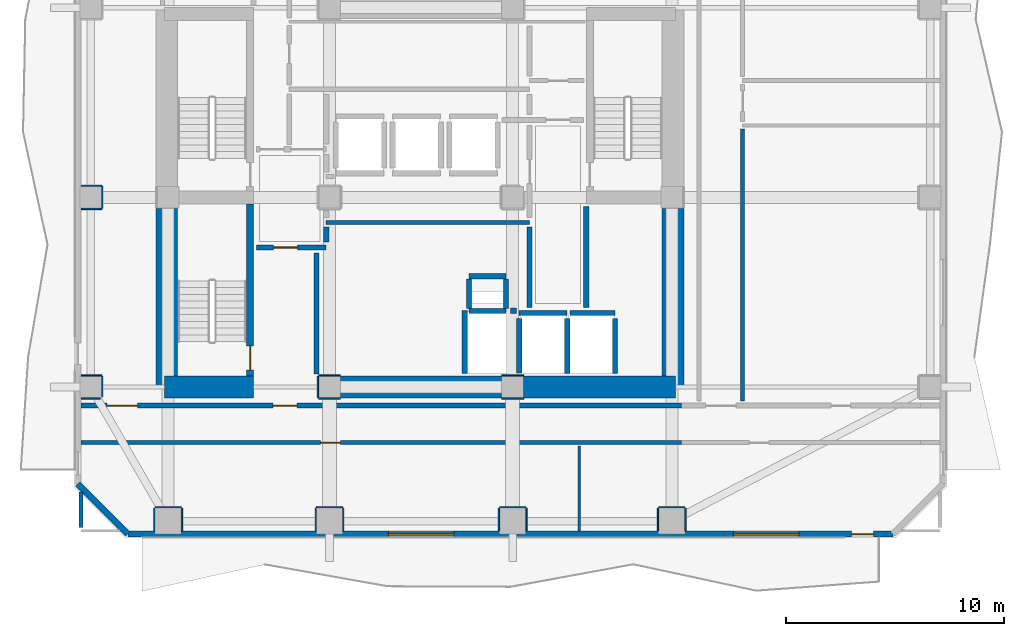
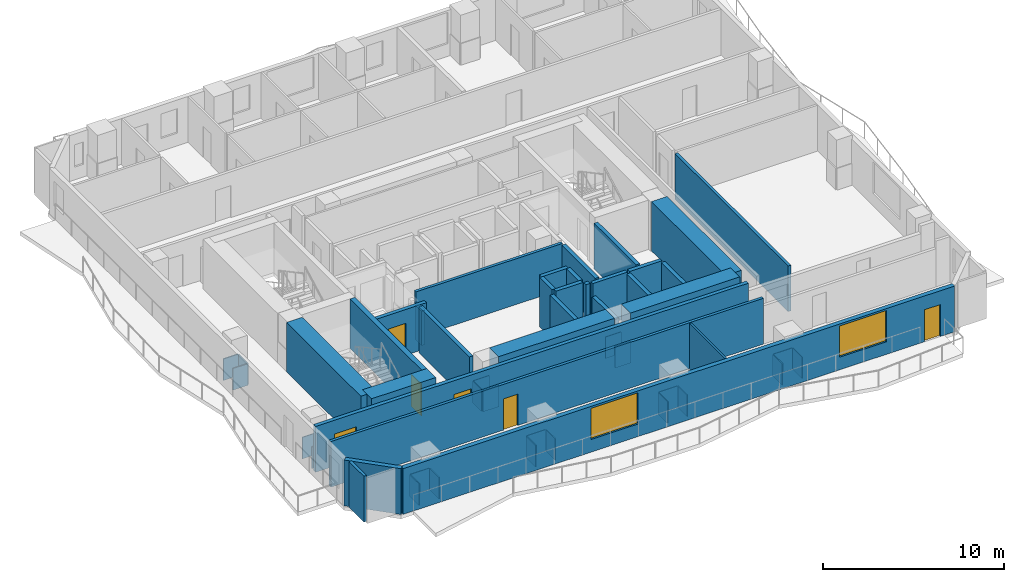
# One storey, part 2 of 11: 53 walls, 6 doors, 2 windows, 8 openings.
"""IFC4 building model written with IfcOpenShell, lengths in metres."""

from ifc_helpers import new_model, si_unit, direction, frame, frame_2d, origin, place, context, subcontext, project, spatial, rectangle, extrude, material, layer, layer_set, type_object, element, fill, save


model = new_model("IFC4")

# Units and contexts
model_context = context("Model", 3, precision=1e-05, world=origin(), true_north=direction((0.0, 1.0)))
body_context = subcontext(model_context, "Body", "Model", "MODEL_VIEW")
ifc_project = project(units=[si_unit("LENGTHUNIT", "METRE"), si_unit("AREAUNIT", "SQUARE_METRE"), si_unit("VOLUMEUNIT", "CUBIC_METRE"), si_unit("PLANEANGLEUNIT", "RADIAN"), si_unit("MASSUNIT", "GRAM", prefix="KILO")], contexts=[model_context])

# Site, building, storey
site_placement = place(None, origin())
site = spatial("IfcSite", under=ifc_project, at=site_placement, CompositionType="ELEMENT")
building_placement = place(site_placement, origin())
building = spatial("IfcBuilding", under=site, at=building_placement, Name="Solanera Arch Residences", CompositionType="ELEMENT")
storey_placement = place(building_placement, frame((0.0, 0.0, 159.199951171875)))
storey = spatial("IfcBuildingStorey", under=building, at=storey_placement, Name="L46", CompositionType="ELEMENT", Elevation=159.199951171875)

# Walls
ifc_material_1 = material(Name="Fire-Rated Gypsum Stud Partition", Category="gypsum")
ifc_layer_1 = layer(ifc_material_1, 0.06005859375)
ifc_layer_set_1 = layer_set([ifc_layer_1], Name="Fire-Rated Gypsum Stud Partition")
wall_type_1 = type_object("IfcWallType", Name="Column Acoustic Furring Wall 60", PredefinedType="PARTITIONING", material=ifc_layer_set_1)
for number, where, z_axis, x_axis, name in (
    (1, (20.300048828125, 21.468017578125, 0.0), (0.0, 0.0, 1.0), (1.0, 0.0, 0.0), "L46 Column Furring 1S"),
    (2, (20.300048828125, 22.531982421875, 0.0), (0.0, 0.0, 1.0), (1.0, 0.0, 0.0), "L46 Column Furring 1N"),
    (3, (20.26806640625, 21.5, 0.0), (0.0, 0.0, 1.0), (0.0, 1.0, 0.0), "L46 Column Furring 1W"),
    (4, (28.699951171875, 21.468017578125, 0.0), (0.0, 0.0, 1.0), (1.0, 0.0, 0.0), "L46 Column Furring 2S"),
    (5, (28.699951171875, 22.531982421875, 0.0), (0.0, 0.0, 1.0), (1.0, 0.0, 0.0), "L46 Column Furring 2N"),
):
    element("IfcWall", number, at=place(storey_placement, frame(where, z_axis=z_axis, x_axis=x_axis)), inside=storey, type_object=wall_type_1, Name=name, PredefinedType="PARTITIONING", context=body_context, shape_type="SweptSolid", body=[
        extrude(rectangle(XDim=1.0, YDim=0.06005859375, at=frame_2d((0.5, 0.0))), origin(), (0.0, 0.0, 1.0), 1.449951171875),
    ])
wall_1_placement = place(storey_placement, frame((12.800048828125, 16.48193359375, 0.0), z_axis=(0.0, 0.0, 1.0), x_axis=(1.0, 0.0, 0.0)))
element("IfcWall", 6, at=wall_1_placement, inside=storey, type_object=wall_type_1, Name="L46 Column Furring 9N", PredefinedType="PARTITIONING", context=body_context, shape_type="SweptSolid", body=[
    extrude(rectangle(XDim=1.199951171875, YDim=0.06005859375, at=frame_2d((0.60009765625, 0.0))), origin(), (0.0, 0.0, 1.0), 1.449951171875),
])
for number, where, z_axis, x_axis, name in (
    (7, (12.76806640625, 15.409912109375, 0.0), (0.0, 0.0, 1.0), (0.0, 1.0, 0.0), "L46 Column Furring 9W"),
    (8, (14.031982421875, 15.409912109375, 0.0), (0.0, 0.0, 1.0), (0.0, 1.0, 0.0), "L46 Column Furring 9E"),
):
    element("IfcWall", number, at=place(storey_placement, frame(where, z_axis=z_axis, x_axis=x_axis)), inside=storey, type_object=wall_type_1, Name=name, PredefinedType="PARTITIONING", context=body_context, shape_type="SweptSolid", body=[
        extrude(rectangle(XDim=1.0400390625, YDim=0.06005859375, at=frame_2d((0.52001953125, 0.0))), origin(), (0.0, 0.0, 1.0), 1.449951171875),
    ])
wall_2_placement = place(storey_placement, frame((20.199951171875, 16.48193359375, 0.0), z_axis=(0.0, 0.0, 1.0), x_axis=(1.0, 0.0, 0.0)))
element("IfcWall", 9, at=wall_2_placement, inside=storey, type_object=wall_type_1, Name="L46 Column Furring 11N", PredefinedType="PARTITIONING", context=body_context, shape_type="SweptSolid", body=[
    extrude(rectangle(XDim=1.199951171875, YDim=0.06005859375, at=frame_2d((0.60009765625, 0.0))), origin(), (0.0, 0.0, 1.0), 1.449951171875),
])
for number, where, z_axis, x_axis, name in (
    (10, (20.16796875, 15.409912109375, 0.0), (0.0, 0.0, 1.0), (0.0, 1.0, 0.0), "L46 Column Furring 11W"),
    (11, (21.431884765625, 15.409912109375, 0.0), (0.0, 0.0, 1.0), (0.0, 1.0, 0.0), "L46 Column Furring 11E"),
):
    element("IfcWall", number, at=place(storey_placement, frame(where, z_axis=z_axis, x_axis=x_axis)), inside=storey, type_object=wall_type_1, Name=name, PredefinedType="PARTITIONING", context=body_context, shape_type="SweptSolid", body=[
        extrude(rectangle(XDim=1.0400390625, YDim=0.06005859375, at=frame_2d((0.52001953125, 0.0))), origin(), (0.0, 0.0, 1.0), 1.449951171875),
    ])
wall_3_placement = place(storey_placement, frame((28.60009765625, 16.48193359375, 0.0), z_axis=(0.0, 0.0, 1.0), x_axis=(1.0, 0.0, 0.0)))
element("IfcWall", 12, at=wall_3_placement, inside=storey, type_object=wall_type_1, Name="L46 Column Furring 13N", PredefinedType="PARTITIONING", context=body_context, shape_type="SweptSolid", body=[
    extrude(rectangle(XDim=1.199951171875, YDim=0.06005859375, at=frame_2d((0.60009765625, 0.0))), origin(), (0.0, 0.0, 1.0), 1.449951171875),
])
for number, where, z_axis, x_axis, name in (
    (13, (28.568115234375, 15.409912109375, 0.0), (0.0, 0.0, 1.0), (0.0, 1.0, 0.0), "L46 Column Furring 13W"),
    (14, (29.83203125, 15.409912109375, 0.0), (0.0, 0.0, 1.0), (0.0, 1.0, 0.0), "L46 Column Furring 13E"),
):
    element("IfcWall", number, at=place(storey_placement, frame(where, z_axis=z_axis, x_axis=x_axis)), inside=storey, type_object=wall_type_1, Name=name, PredefinedType="PARTITIONING", context=body_context, shape_type="SweptSolid", body=[
        extrude(rectangle(XDim=1.0400390625, YDim=0.06005859375, at=frame_2d((0.52001953125, 0.0))), origin(), (0.0, 0.0, 1.0), 1.449951171875),
    ])
wall_4_placement = place(storey_placement, frame((35.89990234375, 16.48193359375, 0.0), z_axis=(0.0, 0.0, 1.0), x_axis=(1.0, 0.0, 0.0)))
element("IfcWall", 15, at=wall_4_placement, inside=storey, type_object=wall_type_1, Name="L46 Column Furring 15N", PredefinedType="PARTITIONING", context=body_context, shape_type="SweptSolid", body=[
    extrude(rectangle(XDim=1.2001953125, YDim=0.06005859375, at=frame_2d((0.60009765625, 0.0))), origin(), (0.0, 0.0, 1.0), 1.449951171875),
])
for number, where, z_axis, x_axis, name in (
    (16, (35.867919921875, 15.409912109375, 0.0), (0.0, 0.0, 1.0), (0.0, 1.0, 0.0), "L46 Column Furring 15W"),
    (17, (37.132080078125, 15.409912109375, 0.0), (0.0, 0.0, 1.0), (0.0, 1.0, 0.0), "L46 Column Furring 15E"),
):
    element("IfcWall", number, at=place(storey_placement, frame(where, z_axis=z_axis, x_axis=x_axis)), inside=storey, type_object=wall_type_1, Name=name, PredefinedType="PARTITIONING", context=body_context, shape_type="SweptSolid", body=[
        extrude(rectangle(XDim=1.0400390625, YDim=0.06005859375, at=frame_2d((0.52001953125, 0.0))), origin(), (0.0, 0.0, 1.0), 1.449951171875),
    ])
wall_5_placement = place(storey_placement, frame((9.409912109375, 21.468017578125, 0.0), z_axis=(0.0, 0.0, 1.0), x_axis=(1.0, 0.0, 0.0)))
element("IfcWall", 18, at=wall_5_placement, inside=storey, type_object=wall_type_1, Name="L46 Column Furring 17S", PredefinedType="PARTITIONING", context=body_context, shape_type="SweptSolid", body=[
    extrude(rectangle(XDim=0.87109375, YDim=0.06005859375, at=frame_2d((0.435546875, 0.0))), origin(), (0.0, 0.0, 1.0), 1.449951171875),
])
wall_6_placement = place(storey_placement, frame((9.409912109375, 22.531982421875, 0.0), z_axis=(0.0, 0.0, 1.0), x_axis=(1.0, 0.0, 0.0)))
element("IfcWall", 19, at=wall_6_placement, inside=storey, type_object=wall_type_1, Name="L46 Column Furring 17N", PredefinedType="PARTITIONING", context=body_context, shape_type="SweptSolid", body=[
    extrude(rectangle(XDim=0.940185546875, YDim=0.06005859375, at=frame_2d((0.47021484375, 0.0))), origin(), (0.0, 0.0, 1.0), 1.449951171875),
])
wall_7_placement = place(storey_placement, frame((10.382080078125, 21.5439453125, 0.0), z_axis=(0.0, 0.0, 1.0), x_axis=(0.0, 1.0, 0.0)))
element("IfcWall", 20, at=wall_7_placement, inside=storey, type_object=wall_type_1, Name="L46 Column Furring 17E", PredefinedType="PARTITIONING", context=body_context, shape_type="SweptSolid", body=[
    extrude(rectangle(XDim=0.9560546875, YDim=0.06005859375, at=frame_2d((0.47802734375, 0.0))), origin(), (0.0, 0.0, 1.0), 1.449951171875),
])
for number, where, z_axis, x_axis, name in (
    (21, (9.409912109375, 30.16796875, 0.0), (0.0, 0.0, 1.0), (1.0, 0.0, 0.0), "L46 Column Furring 19S"),
    (22, (9.409912109375, 31.23193359375, 0.0), (0.0, 0.0, 1.0), (1.0, 0.0, 0.0), "L46 Column Furring 19N"),
):
    element("IfcWall", number, at=place(storey_placement, frame(where, z_axis=z_axis, x_axis=x_axis)), inside=storey, type_object=wall_type_1, Name=name, PredefinedType="PARTITIONING", context=body_context, shape_type="SweptSolid", body=[
        extrude(rectangle(XDim=0.940185546875, YDim=0.06005859375, at=frame_2d((0.47021484375, 0.0))), origin(), (0.0, 0.0, 1.0), 1.449951171875),
    ])
wall_8_placement = place(storey_placement, frame((10.382080078125, 30.199951171875, 0.0), z_axis=(0.0, 0.0, 1.0), x_axis=(0.0, 1.0, 0.0)))
element("IfcWall", 23, at=wall_8_placement, inside=storey, type_object=wall_type_1, Name="L46 Column Furring 19E", PredefinedType="PARTITIONING", context=body_context, shape_type="SweptSolid", body=[
    extrude(rectangle(XDim=1.0, YDim=0.06005859375, at=frame_2d((0.5, 0.0))), origin(), (0.0, 0.0, 1.0), 1.449951171875),
])
ifc_material_2 = material(Name="Concrete C55/67 (f'c = 60 MPa)", Category="concrete")
ifc_layer_2 = layer(ifc_material_2, 1.0)
ifc_layer_set_2 = layer_set([ifc_layer_2], Name="Concrete C55/67 (f'c = 60 MPa)")
wall_type_2 = type_object("IfcWallType", Name="Core Shear Wall CW-1000", PredefinedType="SHEAR", material=ifc_layer_set_2)
wall_9_placement = place(storey_placement, frame((13.340087890625, 22.0, 0.0), z_axis=(0.0, 0.0, 1.0), x_axis=(0.0, 1.0, 0.0)))
element("IfcWall", 24, at=wall_9_placement, inside=storey, type_object=wall_type_2, Name="L46 West Core South Shear Wall", PredefinedType="SHEAR", context=body_context, shape_type="SweptSolid", body=[
    extrude(rectangle(XDim=8.195068359375, YDim=1.0, at=frame_2d((4.09765625, 0.0))), origin(), (0.0, 0.0, 1.0), 3.320068359375),
])
wall_10_placement = place(storey_placement, frame((13.239990234375, 22.0, 0.0), z_axis=(0.0, 0.0, 1.0), x_axis=(1.0, 0.0, 0.0)))
element("IfcWall", 25, at=wall_10_placement, inside=storey, type_object=wall_type_2, Name="L46 South-West Core Shear Wall", PredefinedType="SHEAR", context=body_context, shape_type="SweptSolid", body=[
    extrude(rectangle(XDim=4.080078125, YDim=1.0, at=frame_2d((2.0400390625, 0.0))), origin(), (0.0, 0.0, 1.0), 3.320068359375),
])
wall_11_placement = place(storey_placement, frame((36.56005859375, 22.0, 0.0), z_axis=(0.0, 0.0, 1.0), x_axis=(0.0, 1.0, 0.0)))
element("IfcWall", 26, at=wall_11_placement, inside=storey, type_object=wall_type_2, Name="L46 East Core South Shear Wall", PredefinedType="SHEAR", context=body_context, shape_type="SweptSolid", body=[
    extrude(rectangle(XDim=8.195068359375, YDim=1.0, at=frame_2d((4.09765625, 0.0))), origin(), (0.0, 0.0, 1.0), 3.320068359375),
])
wall_12_placement = place(storey_placement, frame((29.705078125, 22.0, 0.0), z_axis=(0.0, 0.0, 1.0), x_axis=(1.0, 0.0, 0.0)))
element("IfcWall", 27, at=wall_12_placement, inside=storey, type_object=wall_type_2, Name="L46 South-East Core Shear Wall", PredefinedType="SHEAR", context=body_context, shape_type="SweptSolid", body=[
    extrude(rectangle(XDim=6.954833984375, YDim=1.0, at=frame_2d((3.4775390625, 0.0))), origin(), (0.0, 0.0, 1.0), 3.320068359375),
])
wall_13_placement = place(storey_placement, frame((21.304931640625, 22.0, 0.0), z_axis=(0.0, 0.0, 1.0), x_axis=(1.0, 0.0, 0.0)))
element("IfcWall", 28, at=wall_13_placement, inside=storey, type_object=wall_type_2, Name="L46 Central South Core Shear Wall", PredefinedType="SHEAR", context=body_context, shape_type="SweptSolid", body=[
    extrude(rectangle(XDim=7.39013671875, YDim=1.0, at=frame_2d((3.695068359375, 0.0))), origin(), (0.0, 0.0, 1.0), 3.320068359375),
])

# Wall, opening, door
ifc_material_3 = material(Name="Concrete C40/50 (f'c = 45 MPa)", Category="concrete")
ifc_layer_3 = layer(ifc_material_3, 0.320068359375)
ifc_layer_set_3 = layer_set([ifc_layer_3], Name="Concrete C40/50 (f'c = 45 MPa)")
wall_type_3 = type_object("IfcWallType", Name="Core Shear Wall CW-320", PredefinedType="SHEAR", material=ifc_layer_set_3)
wall_14_placement = place(storey_placement, frame((17.159912109375, 22.5, 0.0), z_axis=(0.0, 0.0, 1.0), x_axis=(0.0, 1.0, 0.0)))
wall_14 = element("IfcWall", 29, at=wall_14_placement, inside=storey, type_object=wall_type_3, Name="L46 Stair ST-T3 East Shear Wall", PredefinedType="SHEAR", context=body_context, shape_type="SweptSolid", body=[
    extrude(rectangle(XDim=7.89990234375, YDim=0.320068359375, at=frame_2d((3.949951171875, 0.0))), origin(), (0.0, 0.0, 1.0), 3.320068359375),
])
opening_1_placement = place(wall_14_placement, frame((0.2900390625, 0.0, 0.0)))
opening_1 = element("IfcOpeningElement", 30, at=opening_1_placement, cuts=wall_14, Name="Opening DF-01", PredefinedType="OPENING", context=body_context, shape_type="SweptSolid", body=[
    extrude(rectangle(XDim=1.10009765625, YDim=2.14990234375, at=frame_2d((0.550048828125, 1.074951171875))), frame((0.0, 0.169921875, 0.0), z_axis=(0.0, -1.0, 0.0), x_axis=(1.0, 0.0, 0.0)), (0.0, 0.0, 1.0), 0.3401),
])
ifc_material_4 = material(Name="Fire-Rated Architectural Hardwood", Category="wood")
door_type_1 = type_object("IfcDoorType", Name="Stair Exit Fire Door DF-01", OperationType="NOTDEFINED", PredefinedType="DOOR", material=ifc_material_4)
door_1_placement = place(opening_1_placement, origin())
door_1 = element("IfcDoor", 31, at=door_1_placement, inside=storey, type_object=door_type_1, Name="DR-L46-STAIR-ST-T3", OperationType="SINGLE_SWING_RIGHT", OverallHeight=2.14990234375, OverallWidth=1.10009765625, PredefinedType="DOOR", context=body_context, shape_type="SweptSolid", body=[
    extrude(rectangle(XDim=1.10009765625, YDim=2.14990234375, at=frame_2d((0.550048828125, 1.074951171875))), frame((0.0, 0.02490234375, 0.0), z_axis=(0.0, -1.0, 0.0), x_axis=(1.0, 0.0, 0.0)), (0.0, 0.0, 1.0), 0.050048828125),
])
fill(opening_1, door_1)

ifc_material_5 = material(Name="Autoclaved Aerated Concrete Blockwork", Category="masonry")
ifc_layer_4 = layer(ifc_material_5, 0.179931640625)
ifc_layer_set_4 = layer_set([ifc_layer_4], Name="Autoclaved Aerated Concrete Blockwork")
wall_type_4 = type_object("IfcWallType", Name="Corridor Fire Partition 180", PredefinedType="PARTITIONING", material=ifc_layer_set_4)
wall_15_placement = place(storey_placement, frame((9.406982421875, 19.449951171875, 0.0), z_axis=(0.0, 0.0, 1.0), x_axis=(1.0, 0.0, 0.0)))
wall_15 = element("IfcWall", 32, at=wall_15_placement, inside=storey, type_object=wall_type_4, Name="L46 Interior Partition H7 1", PredefinedType="PARTITIONING", context=body_context, shape_type="SweptSolid", body=[
    extrude(rectangle(XDim=27.531982421875, YDim=0.179931640625, at=frame_2d((13.76611328125, 0.0))), origin(), (0.0, 0.0, 1.0), 3.080078125),
])
opening_2_placement = place(wall_15_placement, frame((10.992919921875, 0.0, 0.0)))
opening_2 = element("IfcOpeningElement", 33, at=opening_2_placement, cuts=wall_15, Name="Opening DI-02", PredefinedType="OPENING", context=body_context, shape_type="SweptSolid", body=[
    extrude(rectangle(XDim=0.89990234375, YDim=2.10009765625, at=frame_2d((0.449951171875, 1.050048828125))), frame((0.0, 0.10009765625, 0.0), z_axis=(0.0, -1.0, 0.0), x_axis=(1.0, 0.0, 0.0)), (0.0, 0.0, 1.0), 0.1999),
])
ifc_material_6 = material(Name="Fire-Rated Architectural Hardwood", Category="wood")
door_type_2 = type_object("IfcDoorType", Name="Suite Room Swing Door DI-02", OperationType="NOTDEFINED", PredefinedType="DOOR", material=ifc_material_6)
door_2_placement = place(opening_2_placement, origin())
door_2 = element("IfcDoor", 34, at=door_2_placement, inside=storey, type_object=door_type_2, Name="DR-L46-IN-017", OperationType="SINGLE_SWING_RIGHT", OverallHeight=2.10009765625, OverallWidth=0.89990234375, PredefinedType="DOOR", context=body_context, shape_type="SweptSolid", body=[
    extrude(rectangle(XDim=0.89990234375, YDim=2.10009765625, at=frame_2d((0.449951171875, 1.050048828125))), frame((0.0, 0.02490234375, 0.0), z_axis=(0.0, -1.0, 0.0), x_axis=(1.0, 0.0, 0.0)), (0.0, 0.0, 1.0), 0.050048828125),
])
fill(opening_2, door_2)

# Walls
wall_16_placement = place(storey_placement, frame((20.64990234375, 29.550048828125, 0.0), z_axis=(0.0, 0.0, 1.0), x_axis=(1.0, 0.0, 0.0)))
element("IfcWall", 35, at=wall_16_placement, inside=storey, type_object=wall_type_4, Name="L46 Interior Partition H8", PredefinedType="PARTITIONING", context=body_context, shape_type="SweptSolid", body=[
    extrude(rectangle(XDim=9.3251953125, YDim=0.179931640625, at=frame_2d((4.66259765625, 0.0))), origin(), (0.0, 0.0, 1.0), 3.080078125),
])
wall_17_placement = place(storey_placement, frame((9.39990234375, 15.55810546875, 0.0), z_axis=(0.0, 0.0, 1.0), x_axis=(0.0, 1.0, 0.0)))
element("IfcWall", 36, at=wall_17_placement, inside=storey, type_object=wall_type_4, Name="L46 Interior Partition V8 1", PredefinedType="PARTITIONING", context=body_context, shape_type="SweptSolid", body=[
    extrude(rectangle(XDim=1.636962890625, YDim=0.179931640625, at=frame_2d((0.818359375, 0.0))), origin(), (0.0, 0.0, 1.0), 3.080078125),
])
wall_18_placement = place(storey_placement, frame((39.75, 21.367919921875, 0.0), z_axis=(0.0, 0.0, 1.0), x_axis=(0.0, 1.0, 0.0)))
element("IfcWall", 37, at=wall_18_placement, inside=storey, type_object=wall_type_4, Name="L46 Interior Partition V12 1", PredefinedType="PARTITIONING", context=body_context, shape_type="SweptSolid", body=[
    extrude(rectangle(XDim=12.464111328125, YDim=0.179931640625, at=frame_2d((6.23193359375, 0.0))), origin(), (0.0, 0.0, 1.0), 3.080078125),
])

# Wall, openings, door, windows
ifc_material_7 = material(Name="Precast Concrete C35/45", Category="concrete")
ifc_layer_5 = layer(ifc_material_7, 0.280029296875)
ifc_layer_set_5 = layer_set([ifc_layer_5], Name="Precast Concrete C35/45")
wall_type_5 = type_object("IfcWallType", Name="Exterior Wall Precast Masonry-Frame 280", PredefinedType="STANDARD", material=ifc_layer_set_5)
wall_19_placement = place(storey_placement, frame((46.64501953125, 15.2548828125, 0.0), z_axis=(0.0, 0.0, 1.0), x_axis=(-1.0, 0.0, 0.0)))
wall_19 = element("IfcWall", 38, at=wall_19_placement, inside=storey, type_object=wall_type_5, Name="L46 Tower Exterior Precast Masonry-Frame Wall S", PredefinedType="STANDARD", context=body_context, shape_type="SweptSolid", body=[
    extrude(rectangle(XDim=35.090087890625, YDim=0.280029296875, at=frame_2d((17.544921875, 0.0))), origin(), (0.0, 0.0, 1.0), 3.080078125),
])
opening_3_placement = place(wall_19_placement, frame((0.904052734375, 0.0, 0.0)))
opening_3 = element("IfcOpeningElement", 39, at=opening_3_placement, cuts=wall_19, Name="Opening DB-01", PredefinedType="OPENING", context=body_context, shape_type="SweptSolid", body=[
    extrude(rectangle(XDim=1.0, YDim=2.14990234375, at=frame_2d((0.5, 1.074951171875))), frame((0.0, 0.14990234375, 0.0), z_axis=(0.0, -1.0, 0.0), x_axis=(1.0, 0.0, 0.0)), (0.0, 0.0, 1.0), 0.3),
])
opening_4_placement = place(wall_19_placement, frame((20.14501953125, 0.0, 0.85009765625)))
opening_4 = element("IfcOpeningElement", 40, at=opening_4_placement, cuts=wall_19, Name="Opening W-12", PredefinedType="OPENING", context=body_context, shape_type="SweptSolid", body=[
    extrude(rectangle(XDim=3.0, YDim=2.10009765625, at=frame_2d((1.5, 1.050048828125))), frame((0.0, 0.14990234375, 0.0), z_axis=(0.0, -1.0, 0.0), x_axis=(1.0, 0.0, 0.0)), (0.0, 0.0, 1.0), 0.3),
])
opening_5_placement = place(wall_19_placement, frame((4.323974609375, 0.0, 0.85009765625)))
opening_5 = element("IfcOpeningElement", 41, at=opening_5_placement, cuts=wall_19, Name="Opening W-12", PredefinedType="OPENING", context=body_context, shape_type="SweptSolid", body=[
    extrude(rectangle(XDim=3.0, YDim=2.10009765625, at=frame_2d((1.5, 1.050048828125))), frame((0.0, 0.14990234375, 0.0), z_axis=(0.0, -1.0, 0.0), x_axis=(1.0, 0.0, 0.0)), (0.0, 0.0, 1.0), 0.3),
])
ifc_material_8 = material(Name="Anodised Aluminium Alloy 6063-T6", Category="aluminium")
door_type_3 = type_object("IfcDoorType", Name="Glazed Balcony Swing Door DB-01", OperationType="NOTDEFINED", PredefinedType="DOOR", material=ifc_material_8)
door_3_placement = place(opening_3_placement, origin())
door_3 = element("IfcDoor", 42, at=door_3_placement, inside=storey, type_object=door_type_3, Name="DR-L46-OUT-01", OperationType="SINGLE_SWING_RIGHT", OverallHeight=2.14990234375, OverallWidth=1.0, PredefinedType="DOOR", context=body_context, shape_type="SweptSolid", body=[
    extrude(rectangle(XDim=1.0, YDim=2.14990234375, at=frame_2d((0.5, 1.074951171875))), frame((0.0, 0.02490234375, 0.0), z_axis=(0.0, -1.0, 0.0), x_axis=(1.0, 0.0, 0.0)), (0.0, 0.0, 1.0), 0.050048828125),
])
fill(opening_3, door_3)
ifc_material_9 = material(Name="Double Glazed Low-E Laminated Glass", Category="glass")
window_type = type_object("IfcWindowType", Name="Punched Window W-12", PartitioningType="TRIPLE_PANEL_VERTICAL", PredefinedType="WINDOW", material=ifc_material_9)
window_1_placement = place(opening_4_placement, origin())
window_1 = element("IfcWindow", 43, at=window_1_placement, inside=storey, type_object=window_type, Name="L46 AMN-LNG Punched Window", OverallHeight=2.10009765625, OverallWidth=3.0, PartitioningType="SINGLE_PANEL", PredefinedType="WINDOW", context=body_context, shape_type="SweptSolid", body=[
    extrude(rectangle(XDim=3.0, YDim=2.10009765625, at=frame_2d((1.5, 1.050048828125))), frame((0.0, 0.030029296875, 0.0), z_axis=(0.0, -1.0, 0.0), x_axis=(1.0, 0.0, 0.0)), (0.0, 0.0, 1.0), 0.06005859375),
])
fill(opening_4, window_1)
window_2_placement = place(opening_5_placement, origin())
window_2 = element("IfcWindow", 44, at=window_2_placement, inside=storey, type_object=window_type, Name="L46 AMN-BRD Punched Window", OverallHeight=2.10009765625, OverallWidth=3.0, PartitioningType="SINGLE_PANEL", PredefinedType="WINDOW", context=body_context, shape_type="SweptSolid", body=[
    extrude(rectangle(XDim=3.0, YDim=2.10009765625, at=frame_2d((1.5, 1.050048828125))), frame((0.0, 0.030029296875, 0.0), z_axis=(0.0, -1.0, 0.0), x_axis=(1.0, 0.0, 0.0)), (0.0, 0.0, 1.0), 0.06005859375),
])
fill(opening_5, window_2)

# Walls
wall_20_placement = place(storey_placement, frame((11.554931640625, 15.2548828125, 0.0), z_axis=(0.0, 0.0, 1.0), x_axis=(-0.707106781187, 0.707106781187, 0.0)))
element("IfcWall", 45, at=wall_20_placement, inside=storey, type_object=wall_type_5, Name="L46 Tower Exterior Precast Masonry-Frame Wall CH7", PredefinedType="STANDARD", context=body_context, shape_type="SweptSolid", body=[
    extrude(rectangle(XDim=3.252685546875, YDim=0.280029296875, at=frame_2d((1.62646484375, 0.0))), origin(), (0.0, 0.0, 1.0), 3.080078125),
])
ifc_material_10 = material(Name="Concrete C40/50 (f'c = 45 MPa)", Category="concrete")
ifc_layer_6 = layer(ifc_material_10, 0.239990234375)
ifc_layer_set_6 = layer_set([ifc_layer_6], Name="Concrete C40/50 (f'c = 45 MPa)")
wall_type_6 = type_object("IfcWallType", Name="Ramp Bearing Shear Wall RW-240", PredefinedType="SHEAR", material=ifc_layer_set_6)
for number, where, z_axis, x_axis, name in (
    (46, (27.199951171875, 25.47998046875, 0.0), (0.0, 0.0, 1.0), (1.0, 0.0, 0.0), "L46 Core MEP Riser South Shaft Wall"),
    (47, (27.199951171875, 27.080078125, 0.0), (0.0, 0.0, 1.0), (1.0, 0.0, 0.0), "L46 Core MEP Riser North Shaft Wall"),
):
    element("IfcWall", number, at=place(storey_placement, frame(where, z_axis=z_axis, x_axis=x_axis)), inside=storey, type_object=wall_type_6, Name=name, PredefinedType="SHEAR", context=body_context, shape_type="SweptSolid", body=[
        extrude(rectangle(XDim=1.699951171875, YDim=0.239990234375, at=frame_2d((0.85009765625, 0.0))), origin(), (0.0, 0.0, 1.0), 3.320068359375),
    ])
for number, where, z_axis, x_axis, name in (
    (48, (27.199951171875, 25.60009765625, 0.0), (0.0, 0.0, 1.0), (0.0, 1.0, 0.0), "L46 Core MEP Riser West Shaft Wall"),
    (49, (28.89990234375, 25.60009765625, 0.0), (0.0, 0.0, 1.0), (0.0, 1.0, 0.0), "L46 Core MEP Riser East Shaft Wall"),
):
    element("IfcWall", number, at=place(storey_placement, frame(where, z_axis=z_axis, x_axis=x_axis)), inside=storey, type_object=wall_type_6, Name=name, PredefinedType="SHEAR", context=body_context, shape_type="SweptSolid", body=[
        extrude(rectangle(XDim=1.35986328125, YDim=0.239990234375, at=frame_2d((0.679931640625, 0.0))), origin(), (0.0, 0.0, 1.0), 3.320068359375),
    ])
ifc_material_11 = material(Name="Autoclaved Aerated Concrete Blockwork", Category="masonry")
ifc_layer_7 = layer(ifc_material_11, 0.239990234375)
ifc_layer_set_7 = layer_set([ifc_layer_7], Name="Autoclaved Aerated Concrete Blockwork")
wall_type_7 = type_object("IfcWallType", Name="Shaft Wall Fire-Rated 240", PredefinedType="PARTITIONING", material=ifc_layer_set_7)
wall_21_placement = place(storey_placement, frame((29.5, 25.39990234375, 0.0), z_axis=(0.0, 0.0, 1.0), x_axis=(1.0, 0.0, 0.0)))
element("IfcWall", 50, at=wall_21_placement, inside=storey, type_object=wall_type_7, Name="L46 Lift FFL-1 Hoistway Wall N", PredefinedType="PARTITIONING", context=body_context, shape_type="SweptSolid", body=[
    extrude(rectangle(XDim=2.199951171875, YDim=0.239990234375, at=frame_2d((1.10009765625, 0.0))), origin(), (0.0, 0.0, 1.0), 3.080078125),
])
wall_22_placement = place(storey_placement, frame((29.5, 22.632080078125, 0.0), z_axis=(0.0, 0.0, 1.0), x_axis=(0.0, 1.0, 0.0)))
element("IfcWall", 51, at=wall_22_placement, inside=storey, type_object=wall_type_7, Name="L46 Lift FFL-1 Hoistway Wall W", PredefinedType="PARTITIONING", context=body_context, shape_type="SweptSolid", body=[
    extrude(rectangle(XDim=2.52001953125, YDim=0.239990234375, at=frame_2d((1.260009765625, 0.0))), origin(), (0.0, 0.0, 1.0), 2.31494140625),
])
wall_23_placement = place(storey_placement, frame((31.699951171875, 22.6298828125, 0.0), z_axis=(0.0, 0.0, 1.0), x_axis=(0.0, 1.0, 0.0)))
element("IfcWall", 52, at=wall_23_placement, inside=storey, type_object=wall_type_7, Name="L46 Lift FFL-1 Hoistway Wall E", PredefinedType="PARTITIONING", context=body_context, shape_type="SweptSolid", body=[
    extrude(rectangle(XDim=2.522216796875, YDim=0.239990234375, at=frame_2d((1.26123046875, 0.0))), origin(), (0.0, 0.0, 1.0), 3.080078125),
])
wall_24_placement = place(storey_placement, frame((31.827880859375, 25.39990234375, 0.0), z_axis=(0.0, 0.0, 1.0), x_axis=(1.0, 0.0, 0.0)))
element("IfcWall", 53, at=wall_24_placement, inside=storey, type_object=wall_type_7, Name="L46 Lift FFL-2 Hoistway Wall N", PredefinedType="PARTITIONING", context=body_context, shape_type="SweptSolid", body=[
    extrude(rectangle(XDim=2.072021484375, YDim=0.239990234375, at=frame_2d((1.0361328125, 0.0))), origin(), (0.0, 0.0, 1.0), 3.080078125),
])
wall_25_placement = place(storey_placement, frame((33.89990234375, 22.6298828125, 0.0), z_axis=(0.0, 0.0, 1.0), x_axis=(0.0, 1.0, 0.0)))
element("IfcWall", 54, at=wall_25_placement, inside=storey, type_object=wall_type_7, Name="L46 Lift FFL-2 Hoistway Wall E", PredefinedType="PARTITIONING", context=body_context, shape_type="SweptSolid", body=[
    extrude(rectangle(XDim=2.522216796875, YDim=0.239990234375, at=frame_2d((1.26123046875, 0.0))), origin(), (0.0, 0.0, 1.0), 3.080078125),
])
wall_26_placement = place(storey_placement, frame((29.10302734375, 25.5, 0.0), z_axis=(0.0, 0.0, 1.0), x_axis=(1.0, 0.0, 0.0)))
element("IfcWall", 55, at=wall_26_placement, inside=storey, type_object=wall_type_7, Name="L46 Lift SVL-1 Hoistway Wall N", PredefinedType="PARTITIONING", context=body_context, shape_type="SweptSolid", body=[
    extrude(rectangle(XDim=0.26904296875, YDim=0.239990234375, at=frame_2d((0.134521484375, 0.0))), origin(), (0.0, 0.0, 1.0), 3.080078125),
])
wall_27_placement = place(storey_placement, frame((27.0, 22.6298828125, 0.0), z_axis=(0.0, 0.0, 1.0), x_axis=(0.0, 1.0, 0.0)))
element("IfcWall", 56, at=wall_27_placement, inside=storey, type_object=wall_type_7, Name="L46 Lift SVL-1 Hoistway Wall W", PredefinedType="PARTITIONING", context=body_context, shape_type="SweptSolid", body=[
    extrude(rectangle(XDim=2.8681640625, YDim=0.239990234375, at=frame_2d((1.43408203125, 0.0))), origin(), (0.0, 0.0, 1.0), 3.080078125),
])

# Wall, openings, doors
wall_28_placement = place(storey_placement, frame((9.406982421875, 21.14990234375, 0.0), z_axis=(0.0, 0.0, 1.0), x_axis=(1.0, 0.0, 0.0)))
wall_28 = element("IfcWall", 57, at=wall_28_placement, inside=storey, type_object=wall_type_7, Name="L46 Interior Partition H1 1", PredefinedType="PARTITIONING", context=body_context, shape_type="SweptSolid", body=[
    extrude(rectangle(XDim=27.531982421875, YDim=0.239990234375, at=frame_2d((13.76611328125, 0.0))), origin(), (0.0, 0.0, 1.0), 3.080078125),
])
opening_6_placement = place(wall_28_placement, frame((8.802978515625, 0.0, 0.0)))
opening_6 = element("IfcOpeningElement", 58, at=opening_6_placement, cuts=wall_28, Name="Opening DF-02", PredefinedType="OPENING", context=body_context, shape_type="SweptSolid", body=[
    extrude(rectangle(XDim=1.10009765625, YDim=2.14990234375, at=frame_2d((0.550048828125, 1.074951171875))), frame((0.0, 0.1298828125, 0.0), z_axis=(0.0, -1.0, 0.0), x_axis=(1.0, 0.0, 0.0)), (0.0, 0.0, 1.0), 0.26),
])
opening_7_placement = place(wall_28_placement, frame((1.19189453125, 0.0, 0.0)))
opening_7 = element("IfcOpeningElement", 59, at=opening_7_placement, cuts=wall_28, Name="Opening DF-03", PredefinedType="OPENING", context=body_context, shape_type="SweptSolid", body=[
    extrude(rectangle(XDim=1.39990234375, YDim=2.14990234375, at=frame_2d((0.699951171875, 1.074951171875))), frame((0.0, 0.1298828125, 0.0), z_axis=(0.0, -1.0, 0.0), x_axis=(1.0, 0.0, 0.0)), (0.0, 0.0, 1.0), 0.26),
])
ifc_material_12 = material(Name="Fire-Rated Architectural Hardwood", Category="wood")
door_type_4 = type_object("IfcDoorType", Name="Corridor Smoke Door DF-03", OperationType="NOTDEFINED", PredefinedType="DOOR", material=ifc_material_12)
door_4_placement = place(opening_7_placement, origin())
door_4 = element("IfcDoor", 60, at=door_4_placement, inside=storey, type_object=door_type_4, Name="DR-L46-IN-010", OperationType="SINGLE_SWING_LEFT", OverallHeight=2.14990234375, OverallWidth=1.39990234375, PredefinedType="DOOR", context=body_context, shape_type="SweptSolid", body=[
    extrude(rectangle(XDim=1.39990234375, YDim=2.14990234375, at=frame_2d((0.699951171875, 1.074951171875))), frame((0.0, 0.02490234375, 0.0), z_axis=(0.0, -1.0, 0.0), x_axis=(1.0, 0.0, 0.0)), (0.0, 0.0, 1.0), 0.050048828125),
])
fill(opening_7, door_4)
ifc_material_13 = material(Name="Fire-Rated Architectural Hardwood", Category="wood")
door_type_5 = type_object("IfcDoorType", Name="Firefighting Lobby Fire Door DF-02", OperationType="NOTDEFINED", PredefinedType="DOOR", material=ifc_material_13)
door_5_placement = place(opening_6_placement, origin())
door_5 = element("IfcDoor", 61, at=door_5_placement, inside=storey, type_object=door_type_5, Name="DR-L46-IN-008", OperationType="SINGLE_SWING_LEFT", OverallHeight=2.14990234375, OverallWidth=1.10009765625, PredefinedType="DOOR", context=body_context, shape_type="SweptSolid", body=[
    extrude(rectangle(XDim=1.10009765625, YDim=2.14990234375, at=frame_2d((0.550048828125, 1.074951171875))), frame((0.0, 0.02490234375, 0.0), z_axis=(0.0, -1.0, 0.0), x_axis=(1.0, 0.0, 0.0)), (0.0, 0.0, 1.0), 0.050048828125),
])
fill(opening_6, door_5)

# Wall, opening, door
wall_29_placement = place(storey_placement, frame((17.449951171875, 28.39990234375, 0.0), z_axis=(0.0, 0.0, 1.0), x_axis=(1.0, 0.0, 0.0)))
wall_29 = element("IfcWall", 62, at=wall_29_placement, inside=storey, type_object=wall_type_7, Name="L46 Interior Partition H3", PredefinedType="PARTITIONING", context=body_context, shape_type="SweptSolid", body=[
    extrude(rectangle(XDim=3.199951171875, YDim=0.239990234375, at=frame_2d((1.60009765625, 0.0))), origin(), (0.0, 0.0, 1.0), 3.080078125),
])
opening_8_placement = place(wall_29_placement, frame((0.783935546875, 0.0, 0.0)))
opening_8 = element("IfcOpeningElement", 63, at=opening_8_placement, cuts=wall_29, Name="Opening DF-02", PredefinedType="OPENING", context=body_context, shape_type="SweptSolid", body=[
    extrude(rectangle(XDim=1.10009765625, YDim=2.14990234375, at=frame_2d((0.550048828125, 1.074951171875))), frame((0.0, 0.1298828125, 0.0), z_axis=(0.0, -1.0, 0.0), x_axis=(1.0, 0.0, 0.0)), (0.0, 0.0, 1.0), 0.26),
])
door_6_placement = place(opening_8_placement, origin())
door_6 = element("IfcDoor", 64, at=door_6_placement, inside=storey, type_object=door_type_5, Name="DR-L46-IN-004", OperationType="SINGLE_SWING_LEFT", OverallHeight=2.14990234375, OverallWidth=1.10009765625, PredefinedType="DOOR", context=body_context, shape_type="SweptSolid", body=[
    extrude(rectangle(XDim=1.10009765625, YDim=2.14990234375, at=frame_2d((0.550048828125, 1.074951171875))), frame((0.0, 0.02490234375, 0.0), z_axis=(0.0, -1.0, 0.0), x_axis=(1.0, 0.0, 0.0)), (0.0, 0.0, 1.0), 0.050048828125),
])
fill(opening_8, door_6)

# Walls
wall_30_placement = place(storey_placement, frame((20.199951171875, 22.5859375, 0.0), z_axis=(0.0, 0.0, 1.0), x_axis=(0.0, 1.0, 0.0)))
element("IfcWall", 65, at=wall_30_placement, inside=storey, type_object=wall_type_7, Name="L46 Interior Partition V2", PredefinedType="PARTITIONING", context=body_context, shape_type="SweptSolid", body=[
    extrude(rectangle(XDim=5.566162109375, YDim=0.239990234375, at=frame_2d((2.783203125, 0.0))), origin(), (0.0, 0.0, 1.0), 3.080078125),
])
wall_31_placement = place(storey_placement, frame((20.64990234375, 28.64794921875, 0.0), z_axis=(0.0, 0.0, 1.0), x_axis=(0.0, 1.0, 0.0)))
element("IfcWall", 66, at=wall_31_placement, inside=storey, type_object=wall_type_7, Name="L46 Interior Partition V3 1", PredefinedType="PARTITIONING", context=body_context, shape_type="SweptSolid", body=[
    extrude(rectangle(XDim=0.68408203125, YDim=0.239990234375, at=frame_2d((0.342041015625, 0.0))), origin(), (0.0, 0.0, 1.0), 2.31494140625),
])
wall_32_placement = place(storey_placement, frame((29.97509765625, 25.64794921875, 0.0), z_axis=(0.0, 0.0, 1.0), x_axis=(0.0, 1.0, 0.0)))
element("IfcWall", 67, at=wall_32_placement, inside=storey, type_object=wall_type_7, Name="L46 Interior Partition V4 1", PredefinedType="PARTITIONING", context=body_context, shape_type="SweptSolid", body=[
    extrude(rectangle(XDim=3.68408203125, YDim=0.239990234375, at=frame_2d((1.842041015625, 0.0))), origin(), (0.0, 0.0, 1.0), 3.080078125),
])
wall_33_placement = place(storey_placement, frame((32.580078125, 25.64794921875, 0.0), z_axis=(0.0, 0.0, 1.0), x_axis=(0.0, 1.0, 0.0)))
element("IfcWall", 68, at=wall_33_placement, inside=storey, type_object=wall_type_7, Name="L46 Interior Partition V5", PredefinedType="PARTITIONING", context=body_context, shape_type="SweptSolid", body=[
    extrude(rectangle(XDim=4.6220703125, YDim=0.239990234375, at=frame_2d((2.31103515625, 0.0))), origin(), (0.0, 0.0, 1.0), 3.080078125),
])
ifc_material_14 = material(Name="Fire-Rated Gypsum Stud Partition", Category="gypsum")
ifc_layer_8 = layer(ifc_material_14, 0.1201171875)
ifc_layer_set_8 = layer_set([ifc_layer_8], Name="Fire-Rated Gypsum Stud Partition")
wall_type_8 = type_object("IfcWallType", Name="Unit Drywall Partition 120", PredefinedType="PARTITIONING", material=ifc_layer_set_8)
wall_34_placement = place(storey_placement, frame((32.251953125, 15.406982421875, 0.0), z_axis=(0.0, 0.0, 1.0), x_axis=(0.0, 1.0, 0.0)))
element("IfcWall", 69, at=wall_34_placement, inside=storey, type_object=wall_type_8, Name="L46 Interior Partition V18", PredefinedType="PARTITIONING", context=body_context, shape_type="SweptSolid", body=[
    extrude(rectangle(XDim=3.885009765625, YDim=0.1201171875, at=frame_2d((1.9423828125, 0.0))), origin(), (0.0, 0.0, 1.0), 3.080078125),
])

save(model, "model.ifc")
